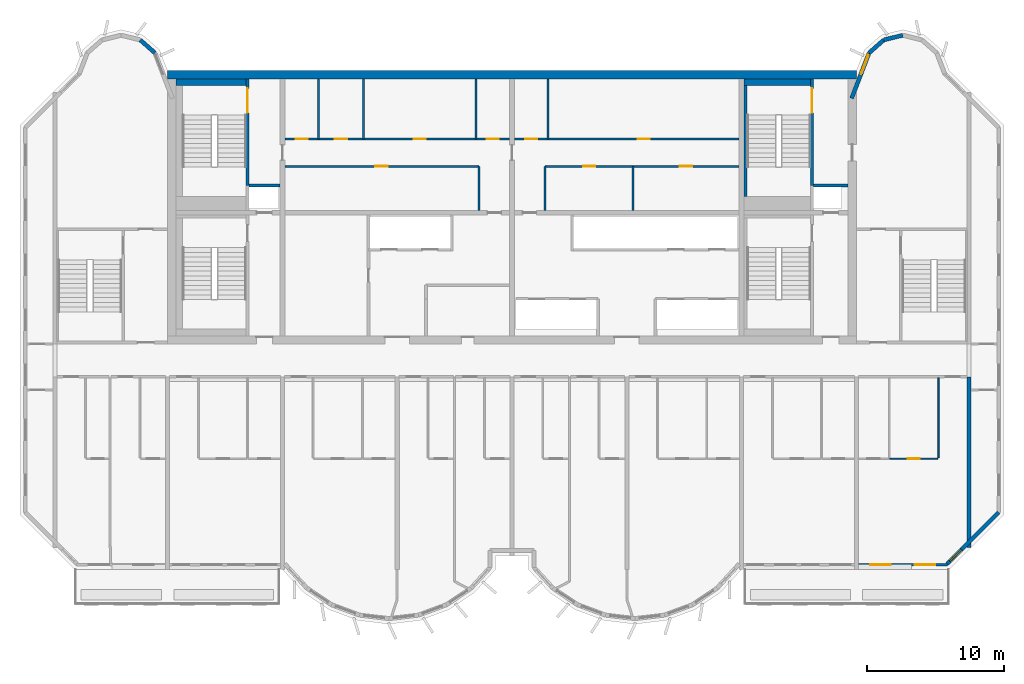
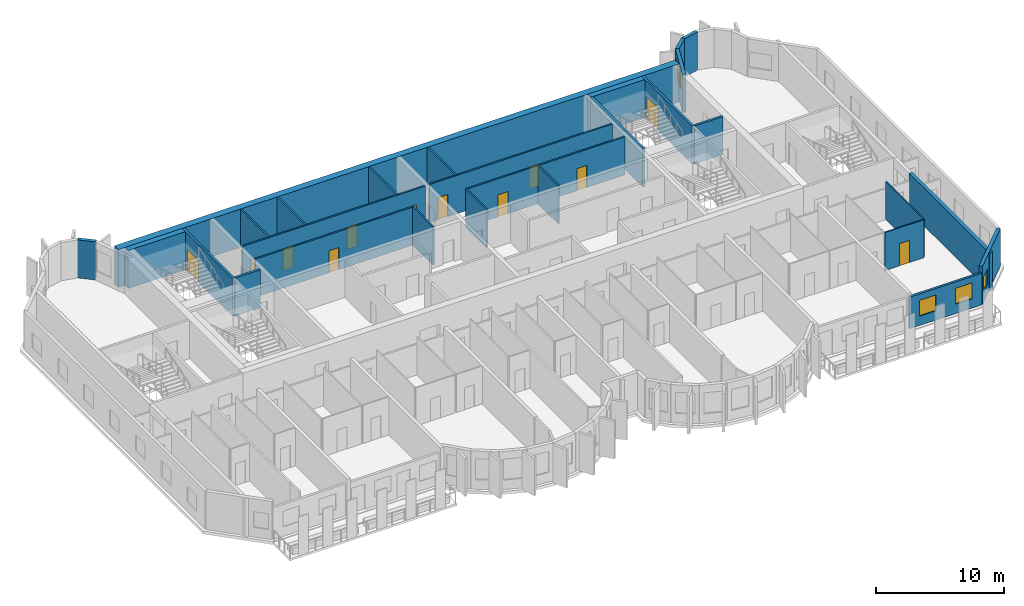
# One storey, part 7 of 11: 28 walls, 12 doors, 4 windows, 16 openings.
"""IFC4 building model written with IfcOpenShell, lengths in metres."""

from ifc_helpers import new_model, si_unit, direction, frame, frame_2d, origin, place, context, subcontext, project, spatial, rectangle, extrude, source, transform, mapped, material, layer, layer_set, type_object, element, fill, save


model = new_model("IFC4")

# Units and contexts
model_context = context("Model", 3, precision=1e-05, world=origin(), true_north=direction((0.0, 1.0)))
body_context = subcontext(model_context, "Body", "Model", "MODEL_VIEW")
ifc_project = project(units=[si_unit("LENGTHUNIT", "METRE"), si_unit("AREAUNIT", "SQUARE_METRE"), si_unit("VOLUMEUNIT", "CUBIC_METRE"), si_unit("PLANEANGLEUNIT", "RADIAN"), si_unit("MASSUNIT", "GRAM", prefix="KILO")], contexts=[model_context])

# Site, building, storey
site_placement = place(None, origin())
site = spatial("IfcSite", under=ifc_project, at=site_placement, CompositionType="ELEMENT")
building_placement = place(site_placement, origin())
building = spatial("IfcBuilding", under=site, at=building_placement, Name="Vanashikhar Sky Hotel", CompositionType="ELEMENT")
storey_placement = place(building_placement, frame((0.0, 0.0, 256.89990234375)))
storey = spatial("IfcBuildingStorey", under=building, at=storey_placement, Name="L62", CompositionType="ELEMENT", Elevation=256.89990234375)

# Walls
ifc_material_1 = material(Name="Concrete M60", Category="concrete")
ifc_layer_1 = layer(ifc_material_1, 0.60009765625)
ifc_layer_set_1 = layer_set([ifc_layer_1], Name="RC core shell wall 600 Concrete M60")
wall_type_1 = type_object("IfcWallType", Name="RC core shell wall 600 Concrete M60", PredefinedType="SHEAR", material=ifc_layer_set_1)
shared_shape_1 = source(origin(), body_context, "Body", "SweptSolid", [
    extrude(rectangle(XDim=50.400146484375, YDim=0.60009765625, at=frame_2d((25.2001953125, 0.0))), origin(), (0.0, 0.0, 1.0), 3.6201171875),
])
wall_1_placement = place(storey_placement, frame((25.199951171875, 41.699951171875, 0.0), z_axis=(0.0, 0.0, 1.0), x_axis=(1.0, 0.0, 0.0)))
element("IfcWall", 1, at=wall_1_placement, inside=storey, type_object=wall_type_1, Name="KW-L62-KN", PredefinedType="SHEAR", context=body_context, shape_type="MappedRepresentation", body=[
    mapped(shared_shape_1, transform((0.0, 0.0, 0.0), scale=1.0)),
])
ifc_layer_2 = layer(ifc_material_1, 0.300048828125)
ifc_layer_set_2 = layer_set([ifc_layer_2], Name="RC shear wall 300 Concrete M60")
wall_type_2 = type_object("IfcWallType", Name="RC shear wall 300 Concrete M60", PredefinedType="SHEAR", material=ifc_layer_set_2)
shared_shape_2 = source(origin(), body_context, "Body", "SweptSolid", [
    extrude(rectangle(XDim=12.5, YDim=0.300048828125, at=frame_2d((6.25, 0.0))), origin(), (0.0, 0.0, 1.0), 3.6201171875),
])
wall_2_placement = place(storey_placement, frame((83.85009765625, 7.10009765625, 0.0), z_axis=(0.0, 0.0, 1.0), x_axis=(0.0, 1.0, 0.0)))
element("IfcWall", 2, at=wall_2_placement, inside=storey, type_object=wall_type_2, Name="CW-L62-XW11-1", PredefinedType="SHEAR", context=body_context, shape_type="MappedRepresentation", body=[
    mapped(shared_shape_2, transform((0.0, 0.0, 0.0), scale=1.0)),
])

# Wall, openings, windows
ifc_material_2 = material(Name="Concrete M50", Category="concrete")
ifc_layer_3 = layer(ifc_material_2, 0.199951171875)
ifc_layer_set_3 = layer_set([ifc_layer_3], Name="Front window wall 200")
wall_type_3 = type_object("IfcWallType", Name="Front window wall 200", PredefinedType="SOLIDWALL", material=ifc_layer_set_3)
shared_shape_3 = source(origin(), body_context, "Body", "SweptSolid", [
    extrude(rectangle(XDim=6.5048828125, YDim=0.199951171875, at=frame_2d((3.25244140625, 0.0))), origin(), (0.0, 0.0, 1.0), 3.02001953125),
])
wall_3_placement = place(storey_placement, frame((75.75, 5.85009765625, 0.0), z_axis=(0.0, 0.0, 1.0), x_axis=(1.0, 0.0, 0.0)))
wall_3 = element("IfcWall", 3, at=wall_3_placement, inside=storey, type_object=wall_type_3, Name="Front window wall", PredefinedType="SOLIDWALL", context=body_context, shape_type="MappedRepresentation", body=[
    mapped(shared_shape_3, transform((0.0, 0.0, 0.0), scale=1.0)),
])
shared_shape_4 = source(origin(), body_context, "Body", "SweptSolid", [
    extrude(rectangle(XDim=1.5, YDim=1.5, at=frame_2d((0.75, 0.75))), frame((0.0, 0.10986328125, 0.0), z_axis=(0.0, -1.0, 0.0), x_axis=(1.0, 0.0, 0.0)), (0.0, 0.0, 1.0), 0.219970703125),
])
opening_1_placement = place(wall_3_placement, frame((0.876220703125, 0.0, 0.89990234375)))
opening_1 = element("IfcOpeningElement", 4, at=opening_1_placement, cuts=wall_3, Name="Opening WN-1", PredefinedType="OPENING", context=body_context, shape_type="MappedRepresentation", body=[
    mapped(shared_shape_4, transform((0.0, 0.0, 0.0), scale=1.0)),
])
opening_2_placement = place(wall_3_placement, frame((4.128662109375, 0.0, 0.89990234375)))
opening_2 = element("IfcOpeningElement", 5, at=opening_2_placement, cuts=wall_3, Name="Opening WN-1", PredefinedType="OPENING", context=body_context, shape_type="MappedRepresentation", body=[
    mapped(shared_shape_4, transform((0.0, 0.0, 0.0), scale=1.0)),
])
ifc_material_3 = material(Name="Glass", Category="glass")
window_type_1 = type_object("IfcWindowType", Name="Window 1500 x 1500", PartitioningType="SINGLE_PANEL", PredefinedType="WINDOW", material=ifc_material_3)
shared_shape_5 = source(origin(), body_context, "Body", "SweptSolid", [
    extrude(rectangle(XDim=1.5, YDim=1.5, at=frame_2d((0.75, 0.75))), frame((0.0, 0.030029296875, 0.0), z_axis=(0.0, -1.0, 0.0), x_axis=(1.0, 0.0, 0.0)), (0.0, 0.0, 1.0), 0.06005859375),
])
window_1_placement = place(opening_1_placement, origin())
window_1 = element("IfcWindow", 6, at=window_1_placement, inside=storey, type_object=window_type_1, Name="Window WN-1", OverallHeight=1.5, OverallWidth=1.5, PartitioningType="SINGLE_PANEL", PredefinedType="WINDOW", context=body_context, shape_type="MappedRepresentation", body=[
    mapped(shared_shape_5, transform((0.0, 0.0, 0.0), scale=1.0)),
])
fill(opening_1, window_1)
window_2_placement = place(opening_2_placement, origin())
window_2 = element("IfcWindow", 7, at=window_2_placement, inside=storey, type_object=window_type_1, Name="Window WN-1", OverallHeight=1.5, OverallWidth=1.5, PartitioningType="SINGLE_PANEL", PredefinedType="WINDOW", context=body_context, shape_type="MappedRepresentation", body=[
    mapped(shared_shape_5, transform((0.0, 0.0, 0.0), scale=1.0)),
])
fill(opening_2, window_2)

# Wall, opening, window
ifc_layer_4 = layer(ifc_material_2, 0.300048828125)
ifc_layer_set_4 = layer_set([ifc_layer_4], Name="Lobe wall 300")
wall_type_4 = type_object("IfcWallType", Name="Lobe wall 300", PredefinedType="SOLIDWALL", material=ifc_layer_set_4)
shared_shape_6 = source(origin(), body_context, "Body", "SweptSolid", [
    extrude(rectangle(XDim=5.32568359375, YDim=0.300048828125, at=frame_2d((2.662841796875, 0.0))), origin(), (0.0, 0.0, 1.0), 3.6201171875),
])
wall_4_placement = place(storey_placement, frame((82.234375, 5.89990234375, 0.0), z_axis=(0.0, 0.0, 1.0), x_axis=(0.707083859269, 0.707129702361, 0.0)))
wall_4 = element("IfcWall", 8, at=wall_4_placement, inside=storey, type_object=wall_type_4, Name="Corner wall", PredefinedType="SOLIDWALL", context=body_context, shape_type="MappedRepresentation", body=[
    mapped(shared_shape_6, transform((0.0, 0.0, 0.0), scale=1.0)),
])
shared_shape_7 = source(origin(), body_context, "Body", "SweptSolid", [
    extrude(rectangle(XDim=1.199951171875, YDim=1.5, at=frame_2d((0.60009765625, 0.75))), frame((0.0, 0.16015625, 0.0), z_axis=(0.0, -1.0, 0.0), x_axis=(1.0, 0.0, 0.0)), (0.0, 0.0, 1.0), 0.320068359375),
])
opening_3_placement = place(wall_4_placement, frame((0.29248046875, 0.0, 0.89990234375)))
opening_3 = element("IfcOpeningElement", 9, at=opening_3_placement, cuts=wall_4, Name="Opening WN-3", PredefinedType="OPENING", context=body_context, shape_type="MappedRepresentation", body=[
    mapped(shared_shape_7, transform((0.0, 0.0, 0.0), scale=1.0)),
])
window_type_2 = type_object("IfcWindowType", Name="Corridor end window 1200 x 1500", PartitioningType="SINGLE_PANEL", PredefinedType="WINDOW", material=ifc_material_3)
shared_shape_8 = source(origin(), body_context, "Body", "SweptSolid", [
    extrude(rectangle(XDim=1.199951171875, YDim=1.5, at=frame_2d((0.60009765625, 0.75))), frame((0.0, 0.030029296875, 0.0), z_axis=(0.0, -1.0, 0.0), x_axis=(1.0, 0.0, 0.0)), (0.0, 0.0, 1.0), 0.06005859375),
])
window_3_placement = place(opening_3_placement, origin())
window_3 = element("IfcWindow", 10, at=window_3_placement, inside=storey, type_object=window_type_2, Name="Window WN-3", OverallHeight=1.5, OverallWidth=1.199951171875, PartitioningType="SINGLE_PANEL", PredefinedType="WINDOW", context=body_context, shape_type="MappedRepresentation", body=[
    mapped(shared_shape_8, transform((0.0, 0.0, 0.0), scale=1.0)),
])
fill(opening_3, window_3)

# Walls
shared_shape_9 = source(origin(), body_context, "Body", "SweptSolid", [
    extrude(rectangle(XDim=1.43994140625, YDim=0.300048828125, at=frame_2d((0.719970703125, 0.0))), origin(), (0.0, 0.0, 1.0), 3.6201171875),
])
wall_5_placement = place(storey_placement, frame((77.602783203125, 44.2451171875, 0.0), z_axis=(0.0, 0.0, 1.0), x_axis=(-0.74957555648, -0.661918790432, 0.0)))
element("IfcWall", 11, at=wall_5_placement, inside=storey, type_object=wall_type_4, Name="Lobe wall", PredefinedType="SOLIDWALL", context=body_context, shape_type="MappedRepresentation", body=[
    mapped(shared_shape_9, transform((0.0, 0.0, 0.0), scale=1.0)),
])
shared_shape_10 = source(origin(), body_context, "Body", "SweptSolid", [
    extrude(rectangle(XDim=1.438720703125, YDim=0.300048828125, at=frame_2d((0.71923828125, 0.0))), origin(), (0.0, 0.0, 1.0), 3.6201171875),
])
wall_6_placement = place(storey_placement, frame((79.0, 44.588134765625, 0.0), z_axis=(0.0, 0.0, 1.0), x_axis=(-0.971161932466, -0.238420848351, 0.0)))
element("IfcWall", 12, at=wall_6_placement, inside=storey, type_object=wall_type_4, Name="Lobe wall", PredefinedType="SOLIDWALL", context=body_context, shape_type="MappedRepresentation", body=[
    mapped(shared_shape_10, transform((0.0, 0.0, 0.0), scale=1.0)),
])

# Wall, opening, window
shared_shape_11 = source(origin(), body_context, "Body", "SweptSolid", [
    extrude(rectangle(XDim=3.55908203125, YDim=0.300048828125, at=frame_2d((1.779541015625, 0.0))), origin(), (0.0, 0.0, 1.0), 3.6201171875),
])
wall_7_placement = place(storey_placement, frame((76.5234375, 43.2919921875, 0.0), z_axis=(0.0, 0.0, 1.0), x_axis=(-0.35779745313, -0.933799219604, 0.0)))
wall_7 = element("IfcWall", 13, at=wall_7_placement, inside=storey, type_object=wall_type_4, Name="Lobe wall", PredefinedType="SOLIDWALL", context=body_context, shape_type="MappedRepresentation", body=[
    mapped(shared_shape_11, transform((0.0, 0.0, 0.0), scale=1.0)),
])
shared_shape_12 = source(origin(), body_context, "Body", "SweptSolid", [
    extrude(rectangle(XDim=1.5, YDim=2.0, at=frame_2d((0.75, 1.0))), frame((0.0, 0.16015625, 0.0), z_axis=(0.0, -1.0, 0.0), x_axis=(1.0, 0.0, 0.0)), (0.0, 0.0, 1.0), 0.320068359375),
])
opening_4_placement = place(wall_7_placement, frame((0.156005859375, 0.0, 0.89990234375)))
opening_4 = element("IfcOpeningElement", 14, at=opening_4_placement, cuts=wall_7, Name="Opening WN-2", PredefinedType="OPENING", context=body_context, shape_type="MappedRepresentation", body=[
    mapped(shared_shape_12, transform((0.0, 0.0, 0.0), scale=1.0)),
])
window_type_3 = type_object("IfcWindowType", Name="Lobe window 1500 x 2000", PartitioningType="SINGLE_PANEL", PredefinedType="WINDOW", material=ifc_material_3)
shared_shape_13 = source(origin(), body_context, "Body", "SweptSolid", [
    extrude(rectangle(XDim=1.5, YDim=2.0, at=frame_2d((0.75, 1.0))), frame((0.0, 0.030029296875, 0.0), z_axis=(0.0, -1.0, 0.0), x_axis=(1.0, 0.0, 0.0)), (0.0, 0.0, 1.0), 0.06005859375),
])
window_4_placement = place(opening_4_placement, origin())
window_4 = element("IfcWindow", 15, at=window_4_placement, inside=storey, type_object=window_type_3, Name="Window WN-2", OverallHeight=2.0, OverallWidth=1.5, PartitioningType="SINGLE_PANEL", PredefinedType="WINDOW", context=body_context, shape_type="MappedRepresentation", body=[
    mapped(shared_shape_13, transform((0.0, 0.0, 0.0), scale=1.0)),
])
fill(opening_4, window_4)

# Walls
shared_shape_14 = source(origin(), body_context, "Body", "SweptSolid", [
    extrude(rectangle(XDim=1.440185546875, YDim=0.300048828125, at=frame_2d((0.72021484375, 0.0))), origin(), (0.0, 0.0, 1.0), 3.6201171875),
])
wall_8_placement = place(storey_placement, frame((24.276611328125, 43.2919921875, 0.0), z_axis=(0.0, 0.0, 1.0), x_axis=(-0.749649827867, 0.661834673902, 0.0)))
element("IfcWall", 16, at=wall_8_placement, inside=storey, type_object=wall_type_4, Name="Lobe wall", PredefinedType="SOLIDWALL", context=body_context, shape_type="MappedRepresentation", body=[
    mapped(shared_shape_14, transform((0.0, 0.0, 0.0), scale=1.0)),
])
ifc_material_4 = material(Name="Gypsum board partition")
ifc_layer_5 = layer(ifc_material_4, 0.14990234375)
ifc_layer_set_5 = layer_set([ifc_layer_5], Name="Service partition 150")
wall_type_5 = type_object("IfcWallType", Name="Service partition 150", PredefinedType="PARTITIONING", material=ifc_layer_set_5)
shared_shape_15 = source(origin(), body_context, "Body", "SweptSolid", [
    extrude(rectangle(XDim=3.22509765625, YDim=0.14990234375, at=frame_2d((1.612548828125, 0.0))), origin(), (0.0, 0.0, 1.0), 3.6201171875),
])
for number, where, z_axis, x_axis, name in (
    (17, (48.0, 31.77490234375, 0.0), (0.0, 0.0, 1.0), (0.0, 1.0, 0.0), "Service partition 150"),
    (18, (52.800048828125, 31.77490234375, 0.0), (0.0, 0.0, 1.0), (0.0, 1.0, 0.0), "Service partition 150"),
    (19, (59.241943359375, 31.77490234375, 0.0), (0.0, 0.0, 1.0), (0.0, 1.0, 0.0), "Service partition 150"),
):
    element("IfcWall", number, at=place(storey_placement, frame(where, z_axis=z_axis, x_axis=x_axis)), inside=storey, type_object=wall_type_5, Name=name, PredefinedType="PARTITIONING", context=body_context, shape_type="MappedRepresentation", body=[
        mapped(shared_shape_15, transform((0.0, 0.0, 0.0), scale=1.0)),
    ])

# Wall, opening, door
shared_shape_16 = source(origin(), body_context, "Body", "SweptSolid", [
    extrude(rectangle(XDim=14.22509765625, YDim=0.14990234375, at=frame_2d((7.112548828125, 0.0))), origin(), (0.0, 0.0, 1.0), 3.6201171875),
])
wall_9_placement = place(storey_placement, frame((33.77490234375, 35.0, 0.0), z_axis=(0.0, 0.0, 1.0), x_axis=(1.0, 0.0, 0.0)))
wall_9 = element("IfcWall", 20, at=wall_9_placement, inside=storey, type_object=wall_type_5, Name="Service partition 150", PredefinedType="PARTITIONING", context=body_context, shape_type="MappedRepresentation", body=[
    mapped(shared_shape_16, transform((0.0, 0.0, 0.0), scale=1.0)),
])
shared_shape_17 = source(origin(), body_context, "Body", "SweptSolid", [
    extrude(rectangle(XDim=0.89990234375, YDim=2.10009765625, at=frame_2d((0.449951171875, 1.050048828125))), frame((0.0, 0.0849609375, 0.0), z_axis=(0.0, -1.0, 0.0), x_axis=(1.0, 0.0, 0.0)), (0.0, 0.0, 1.0), 0.169921875),
])
opening_5_placement = place(wall_9_placement, frame((6.625, 0.0, 0.0)))
opening_5 = element("IfcOpeningElement", 21, at=opening_5_placement, cuts=wall_9, Name="Opening DC-4-A", PredefinedType="OPENING", context=body_context, shape_type="MappedRepresentation", body=[
    mapped(shared_shape_17, transform((0.0, 0.0, 0.0), scale=1.0)),
])
ifc_material_5 = material(Name="Steel", Category="steel")
door_type_1 = type_object("IfcDoorType", Name="Service door 900 FD60", OperationType="NOTDEFINED", PredefinedType="DOOR", material=ifc_material_5)
shared_shape_18 = source(origin(), body_context, "Body", "SweptSolid", [
    extrude(rectangle(XDim=0.89990234375, YDim=2.10009765625, at=frame_2d((0.449951171875, 1.050048828125))), frame((0.0, 0.02490234375, 0.0), z_axis=(0.0, -1.0, 0.0), x_axis=(1.0, 0.0, 0.0)), (0.0, 0.0, 1.0), 0.050048828125),
])
door_1_placement = place(opening_5_placement, origin())
door_1 = element("IfcDoor", 22, at=door_1_placement, inside=storey, type_object=door_type_1, Name="Service door 900 FD60", OperationType="SINGLE_SWING_LEFT", OverallHeight=2.10009765625, OverallWidth=0.89990234375, PredefinedType="DOOR", context=body_context, shape_type="MappedRepresentation", body=[
    mapped(shared_shape_18, transform((0.0, 0.0, 0.0), scale=1.0)),
])
fill(opening_5, door_1)

# Wall, openings, doors
shared_shape_19 = source(origin(), body_context, "Body", "SweptSolid", [
    extrude(rectangle(XDim=16.4501953125, YDim=0.14990234375, at=frame_2d((8.22509765625, 0.0))), origin(), (0.0, 0.0, 1.0), 3.6201171875),
])
wall_10_placement = place(storey_placement, frame((33.77490234375, 37.0, 0.0), z_axis=(0.0, 0.0, 1.0), x_axis=(1.0, 0.0, 0.0)))
wall_10 = element("IfcWall", 23, at=wall_10_placement, inside=storey, type_object=wall_type_5, Name="Service partition 150", PredefinedType="PARTITIONING", context=body_context, shape_type="MappedRepresentation", body=[
    mapped(shared_shape_19, transform((0.0, 0.0, 0.0), scale=1.0)),
])
opening_6_placement = place(wall_10_placement, frame((0.783935546875, 0.0, 0.0)))
opening_6 = element("IfcOpeningElement", 24, at=opening_6_placement, cuts=wall_10, Name="Opening DC-4-A", PredefinedType="OPENING", context=body_context, shape_type="MappedRepresentation", body=[
    mapped(shared_shape_17, transform((0.0, 0.0, 0.0), scale=1.0)),
])
opening_7_placement = place(wall_10_placement, frame((3.6630859375, 0.0, 0.0)))
opening_7 = element("IfcOpeningElement", 25, at=opening_7_placement, cuts=wall_10, Name="Opening DC-4-A", PredefinedType="OPENING", context=body_context, shape_type="MappedRepresentation", body=[
    mapped(shared_shape_17, transform((0.0, 0.0, 0.0), scale=1.0)),
])
opening_8_placement = place(wall_10_placement, frame((9.419921875, 0.0, 0.0)))
opening_8 = element("IfcOpeningElement", 26, at=opening_8_placement, cuts=wall_10, Name="Opening DC-4-A", PredefinedType="OPENING", context=body_context, shape_type="MappedRepresentation", body=[
    mapped(shared_shape_17, transform((0.0, 0.0, 0.0), scale=1.0)),
])
opening_9_placement = place(wall_10_placement, frame((14.76611328125, 0.0, 0.0)))
opening_9 = element("IfcOpeningElement", 27, at=opening_9_placement, cuts=wall_10, Name="Opening DC-4-A", PredefinedType="OPENING", context=body_context, shape_type="MappedRepresentation", body=[
    mapped(shared_shape_17, transform((0.0, 0.0, 0.0), scale=1.0)),
])
door_2_placement = place(opening_6_placement, origin())
door_2 = element("IfcDoor", 28, at=door_2_placement, inside=storey, type_object=door_type_1, Name="Service door 900 FD60", OperationType="SINGLE_SWING_RIGHT", OverallHeight=2.10009765625, OverallWidth=0.89990234375, PredefinedType="DOOR", context=body_context, shape_type="MappedRepresentation", body=[
    mapped(shared_shape_18, transform((0.0, 0.0, 0.0), scale=1.0)),
])
fill(opening_6, door_2)
door_3_placement = place(opening_7_placement, origin())
door_3 = element("IfcDoor", 29, at=door_3_placement, inside=storey, type_object=door_type_1, Name="Service door 900 FD60", OperationType="SINGLE_SWING_RIGHT", OverallHeight=2.10009765625, OverallWidth=0.89990234375, PredefinedType="DOOR", context=body_context, shape_type="MappedRepresentation", body=[
    mapped(shared_shape_18, transform((0.0, 0.0, 0.0), scale=1.0)),
])
fill(opening_7, door_3)
door_4_placement = place(opening_8_placement, origin())
door_4 = element("IfcDoor", 30, at=door_4_placement, inside=storey, type_object=door_type_1, Name="Service door 900 FD60", OperationType="SINGLE_SWING_RIGHT", OverallHeight=2.10009765625, OverallWidth=0.89990234375, PredefinedType="DOOR", context=body_context, shape_type="MappedRepresentation", body=[
    mapped(shared_shape_18, transform((0.0, 0.0, 0.0), scale=1.0)),
])
fill(opening_8, door_4)
door_5_placement = place(opening_9_placement, origin())
door_5 = element("IfcDoor", 31, at=door_5_placement, inside=storey, type_object=door_type_1, Name="Service door 900 FD60", OperationType="SINGLE_SWING_LEFT", OverallHeight=2.10009765625, OverallWidth=0.89990234375, PredefinedType="DOOR", context=body_context, shape_type="MappedRepresentation", body=[
    mapped(shared_shape_18, transform((0.0, 0.0, 0.0), scale=1.0)),
])
fill(opening_9, door_5)

# Walls
shared_shape_20 = source(origin(), body_context, "Body", "SweptSolid", [
    extrude(rectangle(XDim=4.39990234375, YDim=0.14990234375, at=frame_2d((2.199951171875, 0.0))), origin(), (0.0, 0.0, 1.0), 3.6201171875),
])
for number, where, z_axis, x_axis, name in (
    (32, (36.241943359375, 37.0, 0.0), (0.0, 0.0, 1.0), (0.0, 1.0, 0.0), "Service partition 150"),
    (33, (39.531982421875, 37.0, 0.0), (0.0, 0.0, 1.0), (0.0, 1.0, 0.0), "Service partition 150"),
    (34, (47.758056640625, 37.0, 0.0), (0.0, 0.0, 1.0), (0.0, 1.0, 0.0), "Service partition 150"),
    (35, (53.0419921875, 37.0, 0.0), (0.0, 0.0, 1.0), (0.0, 1.0, 0.0), "Service partition 150"),
):
    element("IfcWall", number, at=place(storey_placement, frame(where, z_axis=z_axis, x_axis=x_axis)), inside=storey, type_object=wall_type_5, Name=name, PredefinedType="PARTITIONING", context=body_context, shape_type="MappedRepresentation", body=[
        mapped(shared_shape_20, transform((0.0, 0.0, 0.0), scale=1.0)),
    ])

# Wall, openings, doors
shared_shape_21 = source(origin(), body_context, "Body", "SweptSolid", [
    extrude(rectangle(XDim=14.224853515625, YDim=0.14990234375, at=frame_2d((7.1123046875, 0.0))), origin(), (0.0, 0.0, 1.0), 3.6201171875),
])
wall_11_placement = place(storey_placement, frame((67.02490234375, 35.0, 0.0), z_axis=(0.0, 0.0, 1.0), x_axis=(-1.0, 0.0, 0.0)))
wall_11 = element("IfcWall", 36, at=wall_11_placement, inside=storey, type_object=wall_type_5, Name="Service partition 150", PredefinedType="PARTITIONING", context=body_context, shape_type="MappedRepresentation", body=[
    mapped(shared_shape_21, transform((0.0, 0.0, 0.0), scale=1.0)),
])
opening_10_placement = place(wall_11_placement, frame((3.44091796875, 0.0, 0.0)))
opening_10 = element("IfcOpeningElement", 37, at=opening_10_placement, cuts=wall_11, Name="Opening DC-4-A", PredefinedType="OPENING", context=body_context, shape_type="MappedRepresentation", body=[
    mapped(shared_shape_17, transform((0.0, 0.0, 0.0), scale=1.0)),
])
opening_11_placement = place(wall_11_placement, frame((10.51611328125, 0.0, 0.0)))
opening_11 = element("IfcOpeningElement", 38, at=opening_11_placement, cuts=wall_11, Name="Opening DC-4-A", PredefinedType="OPENING", context=body_context, shape_type="MappedRepresentation", body=[
    mapped(shared_shape_17, transform((0.0, 0.0, 0.0), scale=1.0)),
])
door_6_placement = place(opening_10_placement, origin())
door_6 = element("IfcDoor", 39, at=door_6_placement, inside=storey, type_object=door_type_1, Name="Service door 900 FD60", OperationType="SINGLE_SWING_LEFT", OverallHeight=2.10009765625, OverallWidth=0.89990234375, PredefinedType="DOOR", context=body_context, shape_type="MappedRepresentation", body=[
    mapped(shared_shape_18, transform((0.0, 0.0, 0.0), scale=1.0)),
])
fill(opening_10, door_6)
door_7_placement = place(opening_11_placement, origin())
door_7 = element("IfcDoor", 40, at=door_7_placement, inside=storey, type_object=door_type_1, Name="Service door 900 FD60", OperationType="SINGLE_SWING_RIGHT", OverallHeight=2.10009765625, OverallWidth=0.89990234375, PredefinedType="DOOR", context=body_context, shape_type="MappedRepresentation", body=[
    mapped(shared_shape_18, transform((0.0, 0.0, 0.0), scale=1.0)),
])
fill(opening_11, door_7)

shared_shape_22 = source(origin(), body_context, "Body", "SweptSolid", [
    extrude(rectangle(XDim=16.449951171875, YDim=0.14990234375, at=frame_2d((8.22509765625, 0.0))), origin(), (0.0, 0.0, 1.0), 3.6201171875),
])
wall_12_placement = place(storey_placement, frame((67.02490234375, 37.0, 0.0), z_axis=(0.0, 0.0, 1.0), x_axis=(-1.0, 0.0, 0.0)))
wall_12 = element("IfcWall", 41, at=wall_12_placement, inside=storey, type_object=wall_type_5, Name="Service partition 150", PredefinedType="PARTITIONING", context=body_context, shape_type="MappedRepresentation", body=[
    mapped(shared_shape_22, transform((0.0, 0.0, 0.0), scale=1.0)),
])
opening_12_placement = place(wall_12_placement, frame((6.541015625, 0.0, 0.0)))
opening_12 = element("IfcOpeningElement", 42, at=opening_12_placement, cuts=wall_12, Name="Opening DC-4-A", PredefinedType="OPENING", context=body_context, shape_type="MappedRepresentation", body=[
    mapped(shared_shape_17, transform((0.0, 0.0, 0.0), scale=1.0)),
])
opening_13_placement = place(wall_12_placement, frame((14.76611328125, 0.0, 0.0)))
opening_13 = element("IfcOpeningElement", 43, at=opening_13_placement, cuts=wall_12, Name="Opening DC-4-A", PredefinedType="OPENING", context=body_context, shape_type="MappedRepresentation", body=[
    mapped(shared_shape_17, transform((0.0, 0.0, 0.0), scale=1.0)),
])
door_8_placement = place(opening_12_placement, origin())
door_8 = element("IfcDoor", 44, at=door_8_placement, inside=storey, type_object=door_type_1, Name="Service door 900 FD60", OperationType="SINGLE_SWING_RIGHT", OverallHeight=2.10009765625, OverallWidth=0.89990234375, PredefinedType="DOOR", context=body_context, shape_type="MappedRepresentation", body=[
    mapped(shared_shape_18, transform((0.0, 0.0, 0.0), scale=1.0)),
])
fill(opening_12, door_8)
door_9_placement = place(opening_13_placement, origin())
door_9 = element("IfcDoor", 45, at=door_9_placement, inside=storey, type_object=door_type_1, Name="Service door 900 FD60", OperationType="SINGLE_SWING_LEFT", OverallHeight=2.10009765625, OverallWidth=0.89990234375, PredefinedType="DOOR", context=body_context, shape_type="MappedRepresentation", body=[
    mapped(shared_shape_18, transform((0.0, 0.0, 0.0), scale=1.0)),
])
fill(opening_13, door_9)

# Wall
ifc_material_6 = material(Name="Concrete M40", Category="concrete")
ifc_layer_6 = layer(ifc_material_6, 0.199951171875)
ifc_layer_set_6 = layer_set([ifc_layer_6], Name="Shaft wall 200")
wall_type_6 = type_object("IfcWallType", Name="Shaft wall 200", PredefinedType="SOLIDWALL", material=ifc_layer_set_6)
shared_shape_23 = source(origin(), body_context, "Body", "SweptSolid", [
    extrude(rectangle(XDim=2.275146484375, YDim=0.199951171875, at=frame_2d((1.1376953125, 0.0))), origin(), (0.0, 0.0, 1.0), 3.6201171875),
])
wall_13_placement = place(storey_placement, frame((31.14990234375, 33.60009765625, 0.0), z_axis=(0.0, 0.0, 1.0), x_axis=(1.0, 0.0, 0.0)))
element("IfcWall", 46, at=wall_13_placement, inside=storey, type_object=wall_type_6, Name="Shaft wall 200", PredefinedType="SOLIDWALL", context=body_context, shape_type="MappedRepresentation", body=[
    mapped(shared_shape_23, transform((0.0, 0.0, 0.0), scale=1.0)),
])

# Wall, opening, door
ifc_layer_7 = layer(ifc_material_2, 0.199951171875)
ifc_layer_set_7 = layer_set([ifc_layer_7], Name="Stair wall 200")
wall_type_7 = type_object("IfcWallType", Name="Stair wall 200", PredefinedType="SOLIDWALL", material=ifc_layer_set_7)
shared_shape_24 = source(origin(), body_context, "Body", "SweptSolid", [
    extrude(rectangle(XDim=7.7998046875, YDim=0.199951171875, at=frame_2d((3.89990234375, 0.0))), origin(), (0.0, 0.0, 1.0), 3.6201171875),
])
wall_14_placement = place(storey_placement, frame((31.050048828125, 33.60009765625, 0.0), z_axis=(0.0, 0.0, 1.0), x_axis=(0.0, 1.0, 0.0)))
wall_14 = element("IfcWall", 47, at=wall_14_placement, inside=storey, type_object=wall_type_7, Name="Stair wall 200", PredefinedType="SOLIDWALL", context=body_context, shape_type="MappedRepresentation", body=[
    mapped(shared_shape_24, transform((0.0, 0.0, 0.0), scale=1.0)),
])
shared_shape_25 = source(origin(), body_context, "Body", "SweptSolid", [
    extrude(rectangle(XDim=1.800048828125, YDim=2.10009765625, at=frame_2d((0.89990234375, 1.050048828125))), frame((0.0, 0.10986328125, 0.0), z_axis=(0.0, -1.0, 0.0), x_axis=(1.0, 0.0, 0.0)), (0.0, 0.0, 1.0), 0.219970703125),
])
opening_14_placement = place(wall_14_placement, frame((5.300048828125, 0.0, 0.0)))
opening_14 = element("IfcOpeningElement", 48, at=opening_14_placement, cuts=wall_14, Name="Opening DC-1-A", PredefinedType="OPENING", context=body_context, shape_type="MappedRepresentation", body=[
    mapped(shared_shape_25, transform((0.0, 0.0, 0.0), scale=1.0)),
])
door_type_2 = type_object("IfcDoorType", Name="Stair door 1800 FD120", OperationType="NOTDEFINED", PredefinedType="DOOR", material=ifc_material_5)
shared_shape_26 = source(origin(), body_context, "Body", "SweptSolid", [
    extrude(rectangle(XDim=1.800048828125, YDim=2.10009765625, at=frame_2d((0.89990234375, 1.050048828125))), frame((0.0, 0.02490234375, 0.0), z_axis=(0.0, -1.0, 0.0), x_axis=(1.0, 0.0, 0.0)), (0.0, 0.0, 1.0), 0.050048828125),
])
door_10_placement = place(opening_14_placement, origin())
door_10 = element("IfcDoor", 49, at=door_10_placement, inside=storey, type_object=door_type_2, Name="Stair door 1800 FD120", OperationType="SINGLE_SWING_LEFT", OverallHeight=2.10009765625, OverallWidth=1.800048828125, PredefinedType="DOOR", context=body_context, shape_type="MappedRepresentation", body=[
    mapped(shared_shape_26, transform((0.0, 0.0, 0.0), scale=1.0)),
])
fill(opening_14, door_10)

wall_15_placement = place(storey_placement, frame((72.35009765625, 33.60009765625, 0.0), z_axis=(0.0, 0.0, 1.0), x_axis=(0.0, 1.0, 0.0)))
wall_15 = element("IfcWall", 50, at=wall_15_placement, inside=storey, type_object=wall_type_7, Name="Stair wall 200", PredefinedType="SOLIDWALL", context=body_context, shape_type="MappedRepresentation", body=[
    mapped(shared_shape_24, transform((0.0, 0.0, 0.0), scale=1.0)),
])
opening_15_placement = place(wall_15_placement, frame((5.300048828125, 0.0, 0.0)))
opening_15 = element("IfcOpeningElement", 51, at=opening_15_placement, cuts=wall_15, Name="Opening DC-1-A", PredefinedType="OPENING", context=body_context, shape_type="MappedRepresentation", body=[
    mapped(shared_shape_25, transform((0.0, 0.0, 0.0), scale=1.0)),
])
door_11_placement = place(opening_15_placement, origin())
door_11 = element("IfcDoor", 52, at=door_11_placement, inside=storey, type_object=door_type_2, Name="Stair door 1800 FD120", OperationType="SINGLE_SWING_LEFT", OverallHeight=2.10009765625, OverallWidth=1.800048828125, PredefinedType="DOOR", context=body_context, shape_type="MappedRepresentation", body=[
    mapped(shared_shape_26, transform((0.0, 0.0, 0.0), scale=1.0)),
])
fill(opening_15, door_11)

# Walls
shared_shape_27 = source(origin(), body_context, "Body", "SweptSolid", [
    extrude(rectangle(XDim=2.550048828125, YDim=0.199951171875, at=frame_2d((1.27490234375, 0.0))), origin(), (0.0, 0.0, 1.0), 3.6201171875),
])
wall_16_placement = place(storey_placement, frame((72.449951171875, 33.60009765625, 0.0), z_axis=(0.0, 0.0, 1.0), x_axis=(1.0, 0.0, 0.0)))
element("IfcWall", 53, at=wall_16_placement, inside=storey, type_object=wall_type_6, Name="Shaft wall 200", PredefinedType="SOLIDWALL", context=body_context, shape_type="MappedRepresentation", body=[
    mapped(shared_shape_27, transform((0.0, 0.0, 0.0), scale=1.0)),
])
ifc_layer_8 = layer(ifc_material_2, 0.5)
ifc_layer_set_8 = layer_set([ifc_layer_8], Name="Stair infill wall 500")
wall_type_8 = type_object("IfcWallType", Name="Stair infill wall 500", PredefinedType="SOLIDWALL", material=ifc_layer_set_8)
shared_shape_28 = source(origin(), body_context, "Body", "SweptSolid", [
    extrude(rectangle(XDim=5.14990234375, YDim=0.5, at=frame_2d((2.574951171875, 0.0))), origin(), (0.0, 0.0, 1.0), 3.6201171875),
])
wall_17_placement = place(storey_placement, frame((25.800048828125, 41.14990234375, 0.0), z_axis=(0.0, 0.0, 1.0), x_axis=(1.0, 0.0, 0.0)))
element("IfcWall", 54, at=wall_17_placement, inside=storey, type_object=wall_type_8, Name="Stair infill wall 500", PredefinedType="SOLIDWALL", context=body_context, shape_type="MappedRepresentation", body=[
    mapped(shared_shape_28, transform((0.0, 0.0, 0.0), scale=1.0)),
])
shared_shape_29 = source(origin(), body_context, "Body", "SweptSolid", [
    extrude(rectangle(XDim=4.875, YDim=0.5, at=frame_2d((2.4375, 0.0))), origin(), (0.0, 0.0, 1.0), 3.6201171875),
])
wall_18_placement = place(storey_placement, frame((67.375, 41.14990234375, 0.0), z_axis=(0.0, 0.0, 1.0), x_axis=(1.0, 0.0, 0.0)))
element("IfcWall", 55, at=wall_18_placement, inside=storey, type_object=wall_type_8, Name="Stair infill wall 500", PredefinedType="SOLIDWALL", context=body_context, shape_type="MappedRepresentation", body=[
    mapped(shared_shape_29, transform((0.0, 0.0, 0.0), scale=1.0)),
])
ifc_layer_9 = layer(ifc_material_2, 0.22509765625)
ifc_layer_set_9 = layer_set([ifc_layer_9], Name="Stair infill wall 225")
wall_type_9 = type_object("IfcWallType", Name="Stair infill wall 225", PredefinedType="SOLIDWALL", material=ifc_layer_set_9)
shared_shape_30 = source(origin(), body_context, "Body", "SweptSolid", [
    extrude(rectangle(XDim=8.099853515625, YDim=0.22509765625, at=frame_2d((4.0498046875, 0.0))), origin(), (0.0, 0.0, 1.0), 3.6201171875),
])
wall_19_placement = place(storey_placement, frame((67.487060546875, 32.800048828125, 0.0), z_axis=(0.0, 0.0, 1.0), x_axis=(0.0, 1.0, 0.0)))
element("IfcWall", 56, at=wall_19_placement, inside=storey, type_object=wall_type_9, Name="Stair infill wall 225", PredefinedType="SOLIDWALL", context=body_context, shape_type="MappedRepresentation", body=[
    mapped(shared_shape_30, transform((0.0, 0.0, 0.0), scale=1.0)),
])

# Wall, opening, door
ifc_material_7 = material(Name="Gypsum plasterboard partition")
ifc_layer_10 = layer(ifc_material_7, 0.10009765625)
ifc_layer_set_10 = layer_set([ifc_layer_10], Name="Wet room partition 100")
wall_type_10 = type_object("IfcWallType", Name="Wet room partition 100", PredefinedType="PARTITIONING", material=ifc_layer_set_10)
shared_shape_31 = source(origin(), body_context, "Body", "SweptSolid", [
    extrude(rectangle(XDim=3.5, YDim=0.10009765625, at=frame_2d((1.75, 0.0))), origin(), (0.0, 0.0, 1.0), 3.6201171875),
])
wall_20_placement = place(storey_placement, frame((78.050048828125, 13.60009765625, 0.0), z_axis=(0.0, 0.0, 1.0), x_axis=(1.0, 0.0, 0.0)))
wall_20 = element("IfcWall", 57, at=wall_20_placement, inside=storey, type_object=wall_type_10, Name="W-L62-PW044", PredefinedType="PARTITIONING", context=body_context, shape_type="MappedRepresentation", body=[
    mapped(shared_shape_31, transform((0.0, 0.0, 0.0), scale=1.0)),
])
shared_shape_32 = source(origin(), body_context, "Body", "SweptSolid", [
    extrude(rectangle(XDim=0.89990234375, YDim=2.10009765625, at=frame_2d((0.449951171875, 1.050048828125))), frame((0.0, 0.06005859375, 0.0), z_axis=(0.0, -1.0, 0.0), x_axis=(1.0, 0.0, 0.0)), (0.0, 0.0, 1.0), 0.1201171875),
])
opening_16_placement = place(wall_20_placement, frame((1.300048828125, 0.0, 0.0)))
opening_16 = element("IfcOpeningElement", 58, at=opening_16_placement, cuts=wall_20, Name="Opening D-02", PredefinedType="OPENING", context=body_context, shape_type="MappedRepresentation", body=[
    mapped(shared_shape_32, transform((0.0, 0.0, 0.0), scale=1.0)),
])
ifc_material_8 = material(Name="Timber door", Category="wood")
door_type_3 = type_object("IfcDoorType", Name="Internal door 900", OperationType="NOTDEFINED", PredefinedType="DOOR", material=ifc_material_8)
door_12_placement = place(opening_16_placement, origin())
door_12 = element("IfcDoor", 59, at=door_12_placement, inside=storey, type_object=door_type_3, Name="D-L62-025", OperationType="SINGLE_SWING_RIGHT", OverallHeight=2.10009765625, OverallWidth=0.89990234375, PredefinedType="DOOR", context=body_context, shape_type="MappedRepresentation", body=[
    mapped(shared_shape_18, transform((0.0, 0.0, 0.0), scale=1.0)),
])
fill(opening_16, door_12)

# Wall
shared_shape_33 = source(origin(), body_context, "Body", "SweptSolid", [
    extrude(rectangle(XDim=5.849853515625, YDim=0.10009765625, at=frame_2d((2.9248046875, 0.0))), origin(), (0.0, 0.0, 1.0), 3.6201171875),
])
wall_21_placement = place(storey_placement, frame((81.60009765625, 13.675048828125, 0.0), z_axis=(0.0, 0.0, 1.0), x_axis=(0.0, 1.0, 0.0)))
element("IfcWall", 60, at=wall_21_placement, inside=storey, type_object=wall_type_10, Name="W-L62-PW042", PredefinedType="PARTITIONING", context=body_context, shape_type="MappedRepresentation", body=[
    mapped(shared_shape_33, transform((0.0, 0.0, 0.0), scale=1.0)),
])

save(model, "model.ifc")
